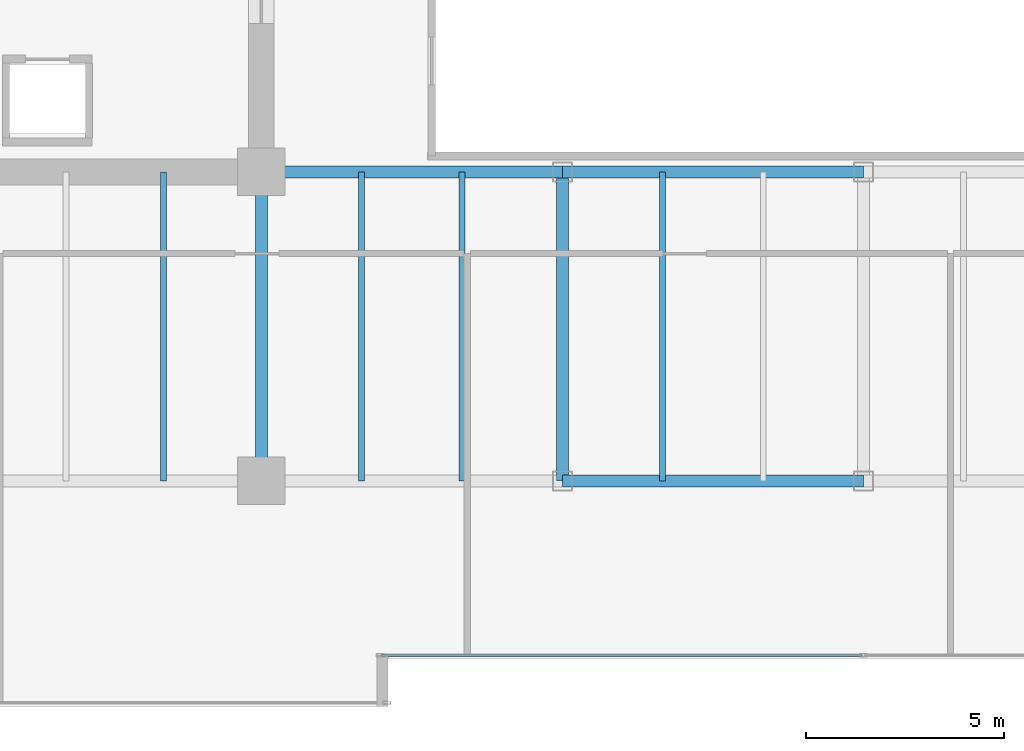
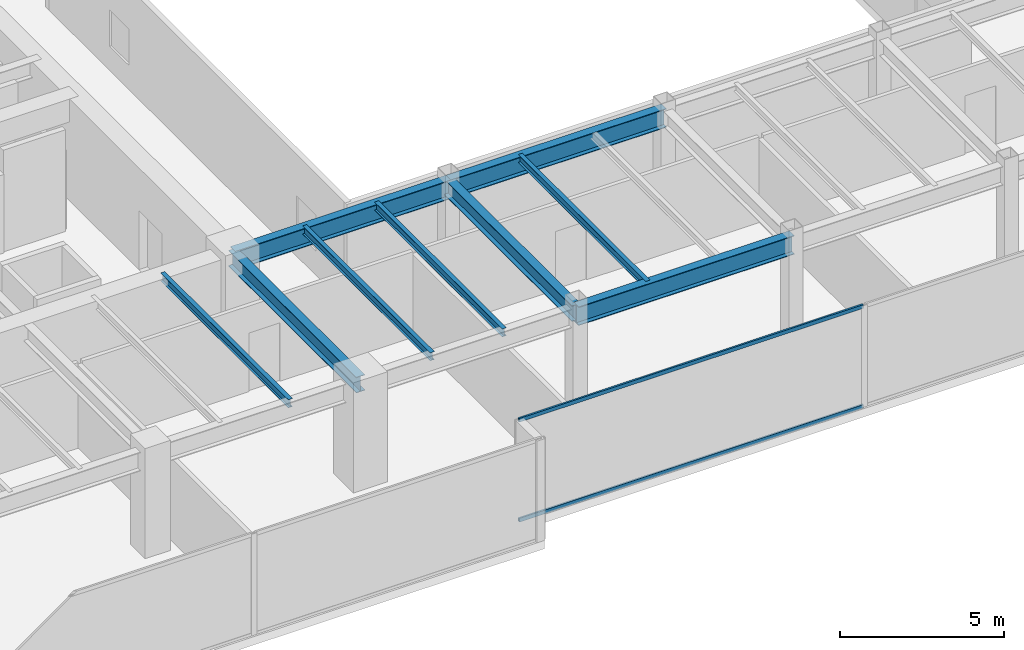
# One storey, part 5 of 30: 9 beams, 2 members, 1 element without a shape of its own.
"""IFC4 building model written with IfcOpenShell, lengths in metres."""

from ifc_helpers import new_model, si_unit, direction, frame, origin, origin_2d, place, context, subcontext, project, spatial, hollow_rectangle, i_section, extrude, source, transform, mapped, material, layer, layer_set, material_profile, profile_set, type_object, type_shapes, element, aggregate, save


model = new_model("IFC4")

# Units and contexts
model_context = context("Model", 3, precision=1e-05, world=origin(), true_north=direction((0.0, 1.0)))
body_context = subcontext(model_context, "Body", "Model", "MODEL_VIEW")
ifc_project = project(units=[si_unit("LENGTHUNIT", "METRE"), si_unit("AREAUNIT", "SQUARE_METRE"), si_unit("VOLUMEUNIT", "CUBIC_METRE"), si_unit("PLANEANGLEUNIT", "RADIAN"), si_unit("MASSUNIT", "GRAM", prefix="KILO")], contexts=[model_context])

# Site, building, storey
site_placement = place(None, origin())
site = spatial("IfcSite", under=ifc_project, at=site_placement, CompositionType="ELEMENT")
building_placement = place(site_placement, origin())
building = spatial("IfcBuilding", under=site, at=building_placement, Name="Haelvirn Gate Laboratories", CompositionType="ELEMENT")
storey_placement = place(building_placement, frame((0.0, 0.0, 187.10009765625)))
storey = spatial("IfcBuildingStorey", under=building, at=storey_placement, Name="L45", CompositionType="ELEMENT", Elevation=187.10009765625)

# Beams
ifc_material_1 = material(Name="Steel SM355", Category="steel")
ifc_material_profile_1 = material_profile(ifc_material_1, i_section(OverallWidth=0.300048828125, OverallDepth=0.699951171875, WebThickness=0.012939453125, FlangeThickness=0.02392578125, at=origin_2d()), Name="H-700x300x13x24")
ifc_profile_set_1 = profile_set([ifc_material_profile_1], Name="Steel SM355")
beam_type_1 = type_object("IfcBeamType", Name="BM-G-700", PredefinedType="BEAM", material=ifc_profile_set_1)
shared_shape_1 = source(origin(), body_context, "Body", "SweptSolid", [
    extrude(i_section(OverallWidth=0.300048828125, OverallDepth=0.699951171875, WebThickness=0.012939453125, FlangeThickness=0.02392578125, at=origin_2d()), origin(), (0.0, 0.0, 1.0), 7.60009765625),
])
beam_placement = place(storey_placement, frame((22.199951171875, 14.800048828125, 3.43994140625), z_axis=(1.0, 0.0, 0.0), x_axis=(0.0, 1.0, 0.0)))
element("IfcBeam", 1, at=beam_placement, inside=storey, type_object=beam_type_1, Name="L45 Primary Girder Y14.8 (22.2-29.8)", PredefinedType="BEAM", context=body_context, shape_type="MappedRepresentation", body=[
    mapped(shared_shape_1, transform((0.0, 0.0, 0.0), scale=1.0)),
])
shared_shape_2 = source(origin(), body_context, "Body", "SweptSolid", [
    extrude(i_section(OverallWidth=0.300048828125, OverallDepth=0.699951171875, WebThickness=0.012939453125, FlangeThickness=0.02392578125, at=origin_2d()), origin(), (0.0, 0.0, 1.0), 7.599853515625),
])
type_shapes(beam_type_1, [shared_shape_1, shared_shape_2])
for number, where, z_axis, x_axis, name in (
    (2, (29.800048828125, 7.0, 3.43994140625), (1.0, 0.0, 0.0), (0.0, 1.0, 0.0), "L45 Primary Girder Y7.0 (29.8-37.4)"),
    (3, (29.800048828125, 14.800048828125, 3.43994140625), (1.0, 0.0, 0.0), (0.0, 1.0, 0.0), "L45 Primary Girder Y14.8 (29.8-37.4)"),
):
    element("IfcBeam", number, at=place(storey_placement, frame(where, z_axis=z_axis, x_axis=x_axis)), inside=storey, type_object=beam_type_1, Name=name, PredefinedType="BEAM", context=body_context, shape_type="MappedRepresentation", body=[
        mapped(shared_shape_2, transform((0.0, 0.0, 0.0), scale=1.0)),
    ])
ifc_material_profile_2 = material_profile(ifc_material_1, i_section(OverallWidth=0.14990234375, OverallDepth=0.300048828125, WebThickness=0.006591796875, FlangeThickness=0.009033203125, at=origin_2d()), Name="H-300x150x6.5x9")
ifc_profile_set_2 = profile_set([ifc_material_profile_2], Name="Steel SM355")
beam_type_2 = type_object("IfcBeamType", Name="BM-J-300", PredefinedType="JOIST", material=ifc_profile_set_2)
shared_shape_3 = source(origin(), body_context, "Body", "SweptSolid", [
    extrude(i_section(OverallWidth=0.14990234375, OverallDepth=0.300048828125, WebThickness=0.006591796875, FlangeThickness=0.009033203125, at=origin_2d()), origin(), (0.0, 0.0, 1.0), 7.800048828125),
])
type_shapes(beam_type_2, [shared_shape_3])
for number, where, z_axis, x_axis, name in (
    (4, (19.72998046875, 7.0, 3.639892578125), (0.0, 1.0, 0.0), (-1.0, 0.0, 0.0), "L45 Composite Lab Joist South X19.73"),
    (5, (24.72998046875, 7.0, 3.639892578125), (0.0, 1.0, 0.0), (-1.0, 0.0, 0.0), "L45 Composite Lab Joist South X24.73"),
    (6, (27.27001953125, 7.0, 3.639892578125), (0.0, 1.0, 0.0), (-1.0, 0.0, 0.0), "L45 Composite Lab Joist South X27.27"),
    (7, (32.330078125, 7.0, 3.639892578125), (0.0, 1.0, 0.0), (-1.0, 0.0, 0.0), "L45 Composite Lab Joist South X32.33"),
):
    element("IfcBeam", number, at=place(storey_placement, frame(where, z_axis=z_axis, x_axis=x_axis)), inside=storey, type_object=beam_type_2, Name=name, PredefinedType="JOIST", context=body_context, shape_type="MappedRepresentation", body=[
        mapped(shared_shape_3, transform((0.0, 0.0, 0.0), scale=1.0)),
    ])
ifc_material_profile_3 = material_profile(ifc_material_1, i_section(OverallWidth=0.300048828125, OverallDepth=0.587890625, WebThickness=0.011962890625, FlangeThickness=0.02001953125, at=origin_2d()), Name="H-588x300x12x20")
ifc_profile_set_3 = profile_set([ifc_material_profile_3], Name="Steel SM355")
beam_type_3 = type_object("IfcBeamType", Name="BM-G-588", PredefinedType="BEAM", material=ifc_profile_set_3)
shared_shape_4 = source(origin(), body_context, "Body", "SweptSolid", [
    extrude(i_section(OverallWidth=0.300048828125, OverallDepth=0.587890625, WebThickness=0.011962890625, FlangeThickness=0.02001953125, at=origin_2d()), origin(), (0.0, 0.0, 1.0), 7.800048828125),
])
type_shapes(beam_type_3, [shared_shape_4])
for number, where, z_axis, x_axis, name in (
    (8, (22.199951171875, 7.0, 3.495849609375), (0.0, 1.0, 0.0), (-1.0, 0.0, 0.0), "L45 Frame Girder X22.2 (7.0-14.8)"),
    (9, (29.800048828125, 7.0, 3.495849609375), (0.0, 1.0, 0.0), (-1.0, 0.0, 0.0), "L45 Frame Girder X29.8 (7.0-14.8)"),
):
    element("IfcBeam", number, at=place(storey_placement, frame(where, z_axis=z_axis, x_axis=x_axis)), inside=storey, type_object=beam_type_3, Name=name, PredefinedType="BEAM", context=body_context, shape_type="MappedRepresentation", body=[
        mapped(shared_shape_4, transform((0.0, 0.0, 0.0), scale=1.0)),
    ])

# Curtain wall, members
ifc_material_2 = material(Name="Anodised bronze unitised aluminium & triple low-E glass", Category="aluminium")
ifc_layer = layer(ifc_material_2, 0.179931640625, Name="CW-SYS-3")
ifc_layer_set = layer_set([ifc_layer], Name="Anodised bronze unitised aluminium & triple low-E glass")
curtain_wall_type = type_object("IfcCurtainWallType", Name="CW-SYS-3", PredefinedType="NOTDEFINED", material=ifc_layer_set)
curtain_wall_placement = place(storey_placement, origin())
curtain_wall = element("IfcCurtainWall", 10, at=curtain_wall_placement, inside=storey, type_object=curtain_wall_type, Name="L45 Unitised Curtain Wall CW-L45-P0-E02-1", PredefinedType="NOTDEFINED")
ifc_material_3 = material(Name="Extruded aluminium 6063-T6 (anodised bronze)", Category="aluminium")
ifc_material_profile_4 = material_profile(ifc_material_3, hollow_rectangle(XDim=0.06494140625, YDim=0.139892578125, WallThickness=0.00390625, at=origin_2d()), Name="CWT-140x65x4")
ifc_profile_set_4 = profile_set([ifc_material_profile_4], Name="Extruded aluminium 6063-T6 (anodised bronze)")
member_type = type_object("IfcMemberType", Name="CWT-T140", PredefinedType="USERDEFINED", material=ifc_profile_set_4)
shared_shape_5 = source(origin(), body_context, "Body", "SweptSolid", [
    extrude(hollow_rectangle(XDim=0.06494140625, YDim=0.139892578125, WallThickness=0.00390625, at=origin_2d()), origin(), (0.0, 0.0, 1.0), 12.12744140625),
])
type_shapes(member_type, [shared_shape_5])
member_1_placement = place(storey_placement, frame((25.235107421875, 2.60009765625, 0.032470703125), z_axis=(1.0, 0.0, 0.0), x_axis=(0.0, 1.0, 0.0)))
member_1 = element("IfcMember", 11, at=member_1_placement, type_object=member_type, Name="CW3 transom 1.1", ObjectType="TRANSOM", PredefinedType="USERDEFINED", context=body_context, shape_type="MappedRepresentation", body=[
    mapped(shared_shape_5, transform((0.0, 0.0, 0.0), scale=1.0)),
])
member_2_placement = place(storey_placement, frame((25.235107421875, 2.60009765625, 3.75732421875), z_axis=(1.0, 0.0, 0.0), x_axis=(0.0, 1.0, 0.0)))
member_2 = element("IfcMember", 12, at=member_2_placement, type_object=member_type, Name="CW3 transom 1.2", ObjectType="TRANSOM", PredefinedType="USERDEFINED", context=body_context, shape_type="MappedRepresentation", body=[
    mapped(shared_shape_5, transform((0.0, 0.0, 0.0), scale=1.0)),
])
aggregate(curtain_wall, [member_1, member_2])

save(model, "model.ifc")
